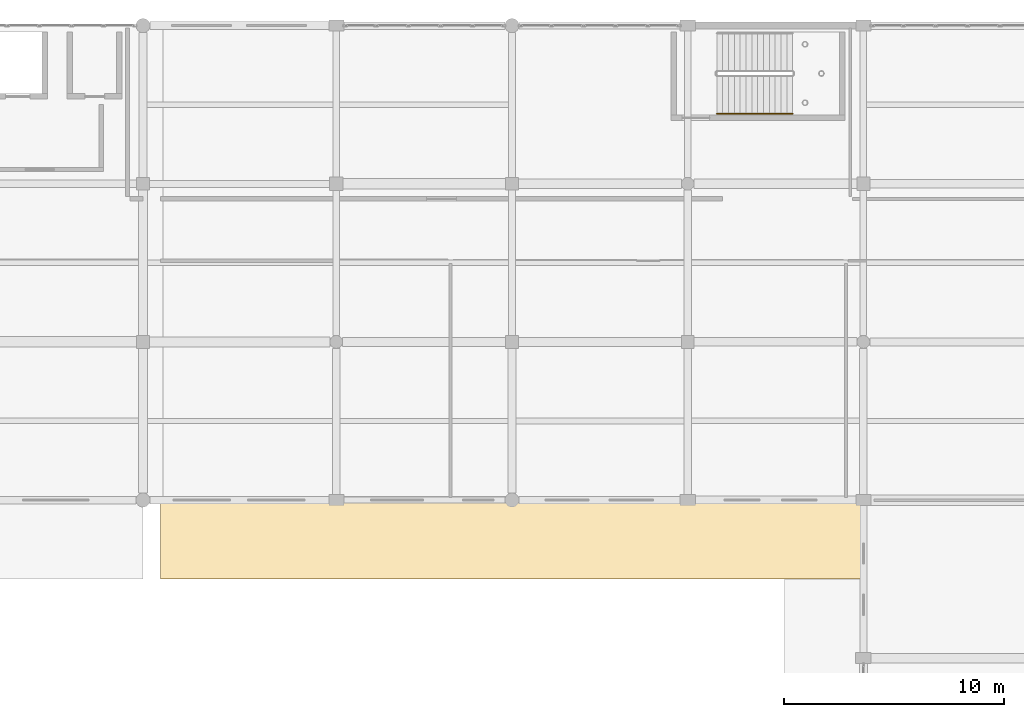
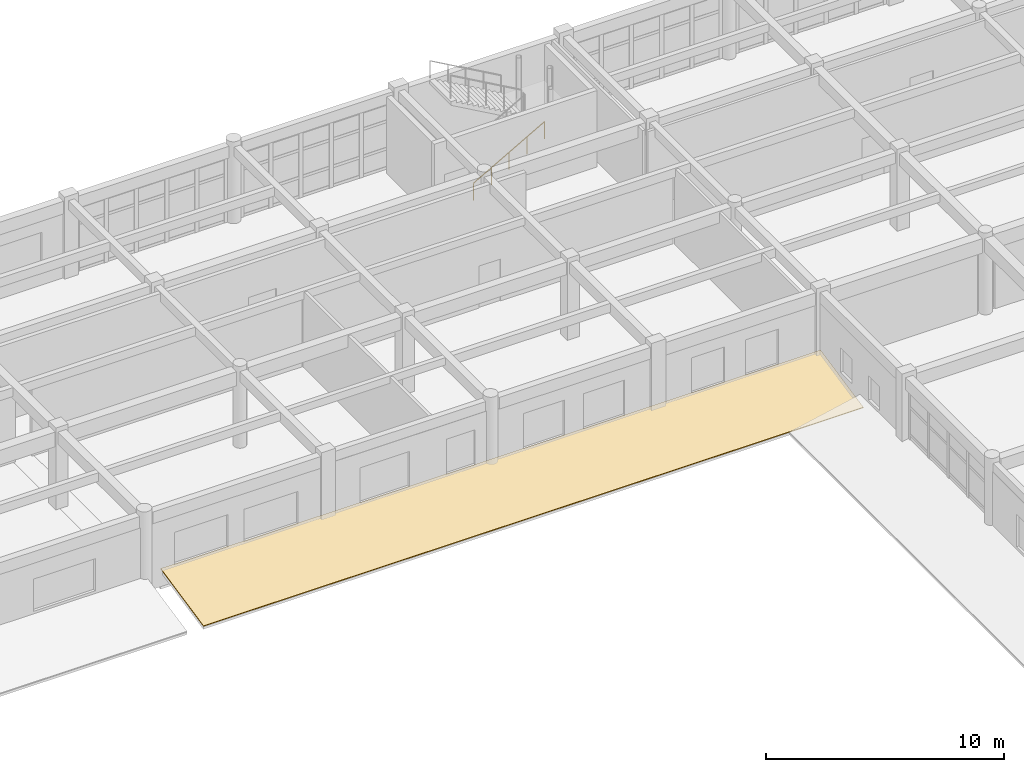
# One storey, part 120 of 121: 1 covering, 1 railing.
"""IFC4 building model written with IfcOpenShell, lengths in metres."""

from ifc_helpers import new_model, si_unit, direction, frame, origin, origin_2d, place, context, subcontext, project, spatial, polyline, circle, outline, extrude, material, layer, layer_set, type_object, element, save


model = new_model("IFC4")

# Units and contexts
model_context = context("Model", 3, precision=1e-05, world=origin(), true_north=direction((0.0, 1.0)))
body_context = subcontext(model_context, "Body", "Model", "MODEL_VIEW")
ifc_project = project(units=[si_unit("LENGTHUNIT", "METRE"), si_unit("AREAUNIT", "SQUARE_METRE"), si_unit("VOLUMEUNIT", "CUBIC_METRE"), si_unit("PLANEANGLEUNIT", "RADIAN"), si_unit("MASSUNIT", "GRAM", prefix="KILO")], contexts=[model_context])

# Site, building, storey
site_placement = place(None, origin())
site = spatial("IfcSite", under=ifc_project, at=site_placement, CompositionType="ELEMENT")
building_placement = place(site_placement, origin())
building = spatial("IfcBuilding", under=site, at=building_placement, Name="Kharva Crest Polytechnic", CompositionType="ELEMENT")
storey_placement = place(building_placement, frame((0.0, 0.0, 13.199951171875)))
storey = spatial("IfcBuildingStorey", under=building, at=storey_placement, Name="L03", CompositionType="ELEMENT", Elevation=13.199951171875)

# Covering
ifc_material_1 = material(Name="Anodised aluminium", Category="aluminium")
ifc_layer = layer(ifc_material_1, 0.044921875, Name="Anodised aluminium")
ifc_layer_set = layer_set([ifc_layer], Name="Anodised aluminium")
covering_type = type_object("IfcCoveringType", Name="COV-ROOF-MEMBRANE", PredefinedType="ROOFING", material=ifc_layer_set)
covering_placement = place(storey_placement, frame((120.800048828125, 96.800048828125, 0.045166015625), z_axis=(0.0, -0.206505409806, 0.978445458736), x_axis=(1.0, 0.0, 0.0)))
element("IfcCovering", 1, at=covering_placement, inside=storey, type_object=covering_type, Name="L03 Standing-Seam Roof Covering 21", PredefinedType="ROOFING", context=body_context, shape_type="SweptSolid", body=[
    extrude(outline(polyline([(0.0, 0.0), (32.0, 0.0), (32.0, 3.6791560362247906), (0.0, 3.6791560362247906), (0.0, 0.0)])), origin(), (0.0, 0.0, -1.0), 0.044921875),
])

# Railing
ifc_material_2 = material(Name="Teak timber", Category="wood")
railing_type = type_object("IfcRailingType", Name="RL-STAIR-HAND-900", PredefinedType="HANDRAIL", material=ifc_material_2)
railing_placement = place(storey_placement, frame((146.1298828125, 117.989990234375, 0.150146484375)))
element("IfcRailing", 2, at=railing_placement, inside=storey, type_object=railing_type, Name="L03 ST-09 stair handrail 1", PredefinedType="HANDRAIL", context=body_context, shape_type="SweptSolid", body=[
    extrude(circle(Radius=0.02392578125, at=origin_2d()), frame((0.0, 0.0, 0.8759765625), z_axis=(0.870266332817, 0.0, 0.492581475459), x_axis=(0.0, 1.0, 0.0)), (0.0, 0.0, 1.0), 3.958740234375),
    extrude(circle(Radius=0.02099609375, at=origin_2d()), origin(), (0.0, 0.0, 1.0), 0.851806640625),
    extrude(circle(Radius=0.02099609375, at=origin_2d()), frame((0.861328125, 0.0, 0.487548828125)), (0.0, 0.0, 1.0), 0.851806640625),
    extrude(circle(Radius=0.02099609375, at=origin_2d()), frame((1.72265625, 0.0, 0.97509765625)), (0.0, 0.0, 1.0), 0.851806640625),
    extrude(circle(Radius=0.02099609375, at=origin_2d()), frame((2.583740234375, 0.0, 1.46240234375)), (0.0, 0.0, 1.0), 0.851806640625),
    extrude(circle(Radius=0.02099609375, at=origin_2d()), frame((3.445068359375, 0.0, 1.949951171875)), (0.0, 0.0, 1.0), 0.851806640625),
])

save(model, "model.ifc")
